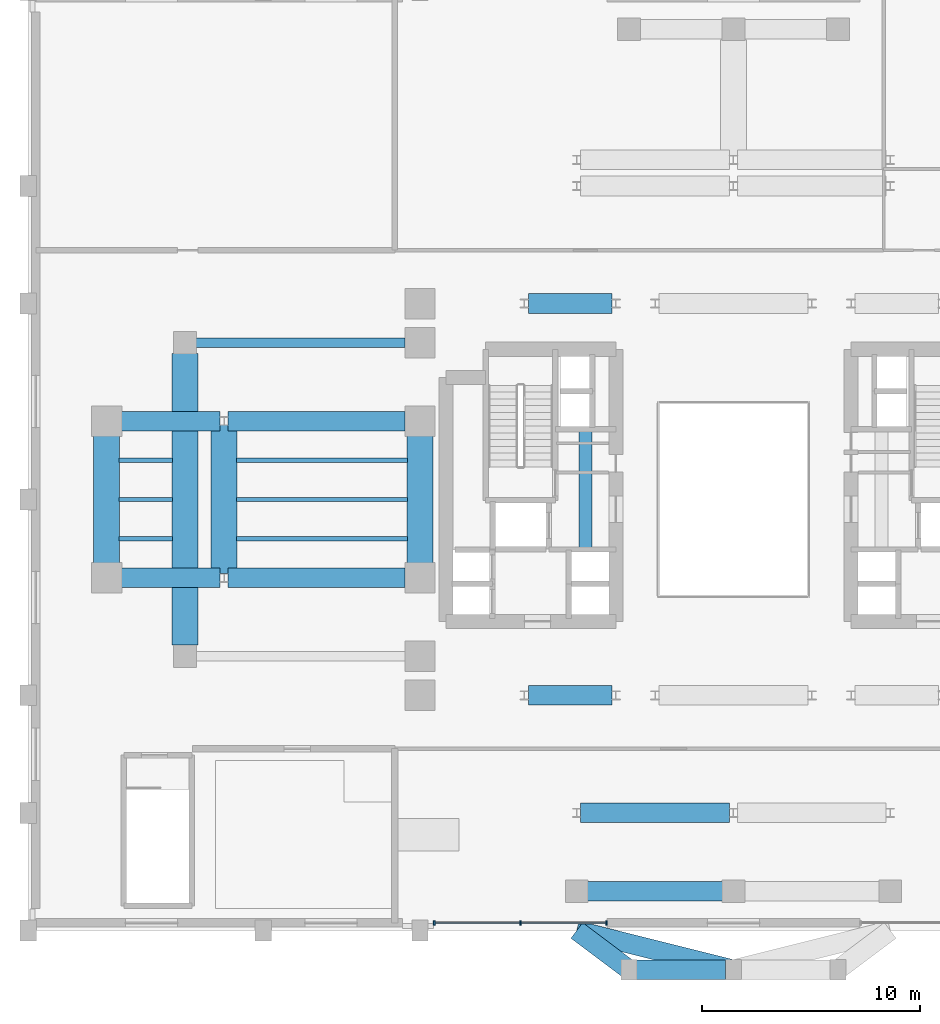
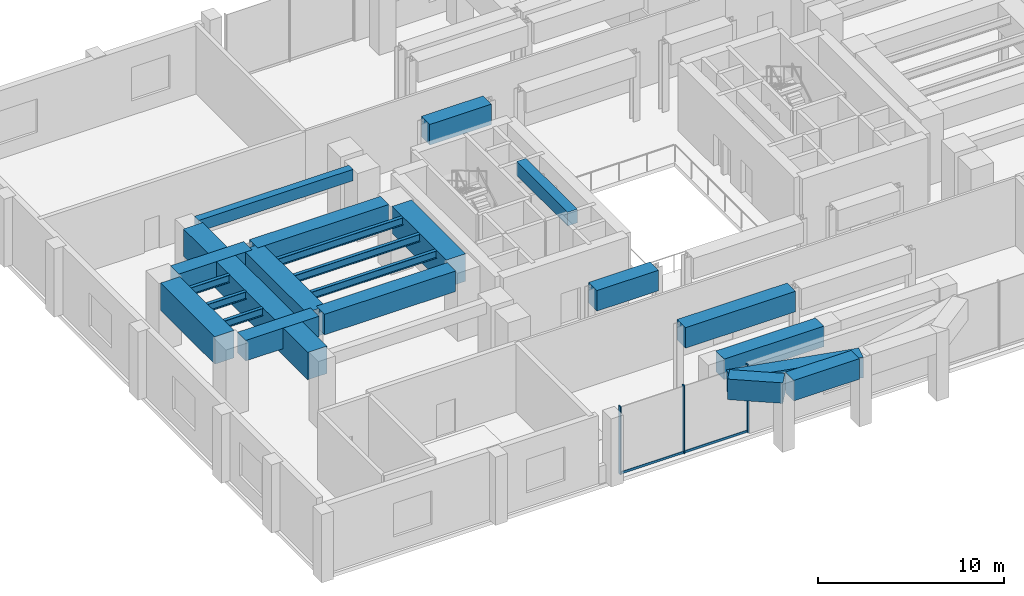
# One storey, part 4 of 13: 23 beams, 5 members, 1 element without a shape of its own.
"""IFC4 building model written with IfcOpenShell, lengths in metres."""

from ifc_helpers import new_model, si_unit, direction, frame, origin, origin_2d, place, context, subcontext, project, spatial, rectangle, i_section, extrude, source, transform, mapped, material, material_profile, profile_set, type_object, element, aggregate, save


model = new_model("IFC4")

# Units and contexts
model_context = context("Model", 3, precision=1e-05, world=origin(), true_north=direction((0.0, 1.0)))
body_context = subcontext(model_context, "Body", "Model", "MODEL_VIEW")
ifc_project = project(units=[si_unit("LENGTHUNIT", "METRE"), si_unit("AREAUNIT", "SQUARE_METRE"), si_unit("VOLUMEUNIT", "CUBIC_METRE"), si_unit("PLANEANGLEUNIT", "RADIAN"), si_unit("MASSUNIT", "GRAM", prefix="KILO")], contexts=[model_context])

# Site, building, storey
site_placement = place(None, origin())
site = spatial("IfcSite", under=ifc_project, at=site_placement, CompositionType="ELEMENT")
building_placement = place(site_placement, origin())
building = spatial("IfcBuilding", under=site, at=building_placement, Name="Keilestroom Media Tower", CompositionType="ELEMENT")
storey_placement = place(building_placement, frame((0.0, 0.0, 20.39990234375)))
storey = spatial("IfcBuildingStorey", under=building, at=storey_placement, Name="L04", CompositionType="ELEMENT", Elevation=20.39990234375)

# Beams
ifc_material_1 = material(Name="Concrete C55/67", Category="concrete")
ifc_material_profile_1 = material_profile(ifc_material_1, rectangle(XDim=0.89990234375, YDim=1.35009765625, at=origin_2d()), Name="RC 900x1350")
ifc_profile_set_1 = profile_set([ifc_material_profile_1], Name="Concrete C55/67")
beam_type_1 = type_object("IfcBeamType", Name="Primary-Structural-Girder-RC-900x1350", PredefinedType="BEAM", material=ifc_profile_set_1)
shared_shape_1 = source(origin(), body_context, "Body", "SweptSolid", [
    extrude(rectangle(XDim=0.89990234375, YDim=1.35009765625, at=origin_2d()), origin(), (0.0, 0.0, 1.0), 3.0),
])
beam_1_placement = place(storey_placement, frame((-4.800048828125, -21.60009765625, 3.80517578125), z_axis=(-0.799980468008, 0.600026041773, 0.0), x_axis=(-0.600026041773, -0.799980468008, 0.0)))
element("IfcBeam", 1, at=beam_1_placement, inside=storey, type_object=beam_type_1, Name="L04 South-Lobe Podium Tie Girder 1", PredefinedType="BEAM", context=body_context, shape_type="MappedRepresentation", body=[
    mapped(shared_shape_1, transform((0.0, 0.0, 0.0), x_axis=(1.0, 0.0, 0.0), y_axis=(0.0, 1.0, 0.0), z_axis=(0.0, 0.0, 1.0), scale=1.0)),
])
shared_shape_2 = source(origin(), body_context, "Body", "SweptSolid", [
    extrude(rectangle(XDim=0.89990234375, YDim=1.35009765625, at=origin_2d()), origin(), (0.0, 0.0, 1.0), 7.421630859375),
])
beam_2_placement = place(storey_placement, frame((0.0, -21.60009765625, 3.80517578125), z_axis=(-0.970140565046, 0.242543365301, 0.0), x_axis=(-0.242543365301, -0.970140565046, 0.0)))
element("IfcBeam", 2, at=beam_2_placement, inside=storey, type_object=beam_type_1, Name="L04 South-Lobe Podium Tie Girder 2", PredefinedType="BEAM", context=body_context, shape_type="MappedRepresentation", body=[
    mapped(shared_shape_2, transform((0.0, 0.0, 0.0), x_axis=(1.0, 0.0, 0.0), y_axis=(0.0, 1.0, 0.0), z_axis=(0.0, 0.0, 1.0), scale=1.0)),
])
ifc_material_2 = material(Name="Concrete C70/85", Category="concrete")
ifc_material_profile_2 = material_profile(ifc_material_2, rectangle(XDim=0.60009765625, YDim=0.89990234375, at=origin_2d()), Name="RC 600x900")
ifc_profile_set_2 = profile_set([ifc_material_profile_2], Name="Concrete C70/85")
beam_type_2 = type_object("IfcBeamType", Name="Core-Coupling-Lintel-Beam-RC-600x900", PredefinedType="LINTEL", material=ifc_profile_set_2)
shared_shape_3 = source(origin(), body_context, "Body", "SweptSolid", [
    extrude(rectangle(XDim=0.60009765625, YDim=0.89990234375, at=origin_2d()), origin(), (0.0, 0.0, 1.0), 5.52001953125),
])
beam_3_placement = place(storey_placement, frame((-6.800048828125, -2.300048828125, 4.030029296875), z_axis=(0.0, 1.0, 0.0), x_axis=(-1.0, 0.0, 0.0)))
element("IfcBeam", 3, at=beam_3_placement, inside=storey, type_object=beam_type_2, Name="L04 Beam CLB-1 CLB-L04-W", PredefinedType="LINTEL", context=body_context, shape_type="MappedRepresentation", body=[
    mapped(shared_shape_3, transform((0.0, 0.0, 0.0), x_axis=(1.0, 0.0, 0.0), y_axis=(0.0, 1.0, 0.0), z_axis=(0.0, 0.0, 1.0), scale=1.0)),
])
shared_shape_4 = source(origin(), body_context, "Body", "SweptSolid", [
    extrude(rectangle(XDim=0.89990234375, YDim=1.35009765625, at=origin_2d()), origin(), (0.0, 0.0, 1.0), 6.190185546875),
])
beam_4_placement = place(storey_placement, frame((-6.695068359375, -18.0, 3.80517578125), z_axis=(1.0, 0.0, 0.0), x_axis=(0.0, 1.0, 0.0)))
element("IfcBeam", 4, at=beam_4_placement, inside=storey, type_object=beam_type_1, Name="L04 Beam TG-2 BM-L04-EW-003", PredefinedType="BEAM", context=body_context, shape_type="MappedRepresentation", body=[
    mapped(shared_shape_4, transform((0.0, 0.0, 0.0), x_axis=(1.0, 0.0, 0.0), y_axis=(0.0, 1.0, 0.0), z_axis=(0.0, 0.0, 1.0), scale=1.0)),
])
shared_shape_5 = source(origin(), body_context, "Body", "SweptSolid", [
    extrude(rectangle(XDim=0.89990234375, YDim=1.35009765625, at=origin_2d()), origin(), (0.0, 0.0, 1.0), 6.833984375),
])
beam_5_placement = place(storey_placement, frame((-7.01708984375, -14.39990234375, 3.80517578125), z_axis=(1.0, 0.0, 0.0), x_axis=(0.0, 1.0, 0.0)))
element("IfcBeam", 5, at=beam_5_placement, inside=storey, type_object=beam_type_1, Name="L04 Beam TG-2 BM-L04-EW-005", PredefinedType="BEAM", context=body_context, shape_type="MappedRepresentation", body=[
    mapped(shared_shape_5, transform((0.0, 0.0, 0.0), x_axis=(1.0, 0.0, 0.0), y_axis=(0.0, 1.0, 0.0), z_axis=(0.0, 0.0, 1.0), scale=1.0)),
])
shared_shape_6 = source(origin(), body_context, "Body", "SweptSolid", [
    extrude(rectangle(XDim=0.89990234375, YDim=1.35009765625, at=origin_2d()), origin(), (0.0, 0.0, 1.0), 3.833984375),
])
for number, where, z_axis, x_axis, name in (
    (6, (-9.4169921875, -9.0, 3.80517578125), (1.0, 0.0, 0.0), (0.0, 1.0, 0.0), "L04 Beam TG-2 BM-L04-EW-007"),
    (7, (-9.4169921875, 9.0, 3.80517578125), (1.0, 0.0, 0.0), (0.0, 1.0, 0.0), "L04 Beam TG-2 BM-L04-EW-024"),
):
    element("IfcBeam", number, at=place(storey_placement, frame(where, z_axis=z_axis, x_axis=x_axis)), inside=storey, type_object=beam_type_1, Name=name, PredefinedType="BEAM", context=body_context, shape_type="MappedRepresentation", body=[
        mapped(shared_shape_6, transform((0.0, 0.0, 0.0), x_axis=(1.0, 0.0, 0.0), y_axis=(0.0, 1.0, 0.0), z_axis=(0.0, 0.0, 1.0), scale=1.0)),
    ])
shared_shape_7 = source(origin(), body_context, "Body", "SweptSolid", [
    extrude(rectangle(XDim=0.89990234375, YDim=1.35009765625, at=origin_2d()), origin(), (0.0, 0.0, 1.0), 4.537109375),
])
for number, where, z_axis, x_axis, name in (
    (8, (-28.1201171875, -3.60009765625, 3.80517578125), (1.0, 0.0, 0.0), (0.0, 1.0, 0.0), "L04 Beam TG-2 BM-L04-EW-014"),
    (9, (-28.1201171875, 3.60009765625, 3.80517578125), (1.0, 0.0, 0.0), (0.0, 1.0, 0.0), "L04 Beam TG-2 BM-L04-EW-018"),
):
    element("IfcBeam", number, at=place(storey_placement, frame(where, z_axis=z_axis, x_axis=x_axis)), inside=storey, type_object=beam_type_1, Name=name, PredefinedType="BEAM", context=body_context, shape_type="MappedRepresentation", body=[
        mapped(shared_shape_7, transform((0.0, 0.0, 0.0), x_axis=(1.0, 0.0, 0.0), y_axis=(0.0, 1.0, 0.0), z_axis=(0.0, 0.0, 1.0), scale=1.0)),
    ])
shared_shape_8 = source(origin(), body_context, "Body", "SweptSolid", [
    extrude(rectangle(XDim=0.89990234375, YDim=1.35009765625, at=origin_2d()), origin(), (0.0, 0.0, 1.0), 8.136962890625),
])
for number, where, z_axis, x_axis, name in (
    (10, (-23.217041015625, -3.60009765625, 3.80517578125), (1.0, 0.0, 0.0), (0.0, 1.0, 0.0), "L04 Beam TG-2 BM-L04-EW-015"),
    (11, (-23.217041015625, 3.60009765625, 3.80517578125), (1.0, 0.0, 0.0), (0.0, 1.0, 0.0), "L04 Beam TG-2 BM-L04-EW-019"),
):
    element("IfcBeam", number, at=place(storey_placement, frame(where, z_axis=z_axis, x_axis=x_axis)), inside=storey, type_object=beam_type_1, Name=name, PredefinedType="BEAM", context=body_context, shape_type="MappedRepresentation", body=[
        mapped(shared_shape_8, transform((0.0, 0.0, 0.0), x_axis=(1.0, 0.0, 0.0), y_axis=(0.0, 1.0, 0.0), z_axis=(0.0, 0.0, 1.0), scale=1.0)),
    ])
shared_shape_9 = source(origin(), body_context, "Body", "SweptSolid", [
    extrude(rectangle(XDim=0.89990234375, YDim=1.35009765625, at=origin_2d()), origin(), (0.0, 0.0, 1.0), 4.090087890625),
])
beam_6_placement = place(storey_placement, frame((-4.445068359375, -21.60009765625, 3.80517578125), z_axis=(1.0, 0.0, 0.0), x_axis=(0.0, 1.0, 0.0)))
element("IfcBeam", 12, at=beam_6_placement, inside=storey, type_object=beam_type_1, Name="L04 Beam TG-2 BM-L04-EW-001", PredefinedType="BEAM", context=body_context, shape_type="MappedRepresentation", body=[
    mapped(shared_shape_9, transform((0.0, 0.0, 0.0), x_axis=(1.0, 0.0, 0.0), y_axis=(0.0, 1.0, 0.0), z_axis=(0.0, 0.0, 1.0), scale=1.0)),
])
ifc_material_3 = material(Name="Precast concrete C40/50", Category="concrete")
ifc_material_profile_3 = material_profile(ifc_material_3, rectangle(XDim=0.449951171875, YDim=0.75, at=origin_2d()), Name="PC 450x750")
ifc_profile_set_3 = profile_set([ifc_material_profile_3], Name="Precast concrete C40/50")
beam_type_3 = type_object("IfcBeamType", Name="Perimeter-Spandrel-Beam-PC-450x750", PredefinedType="SPANDREL", material=ifc_profile_set_3)
shared_shape_10 = source(origin(), body_context, "Body", "SweptSolid", [
    extrude(rectangle(XDim=0.449951171875, YDim=0.75, at=origin_2d()), origin(), (0.0, 0.0, 1.0), 9.614990234375),
])
beam_7_placement = place(storey_placement, frame((-24.695068359375, 7.199951171875, 4.10498046875), z_axis=(1.0, 0.0, 0.0), x_axis=(0.0, 1.0, 0.0)))
element("IfcBeam", 13, at=beam_7_placement, inside=storey, type_object=beam_type_3, Name="L04 Beam SPB-1 BM-L04-EW-022", PredefinedType="SPANDREL", context=body_context, shape_type="MappedRepresentation", body=[
    mapped(shared_shape_10, transform((0.0, 0.0, 0.0), x_axis=(1.0, 0.0, 0.0), y_axis=(0.0, 1.0, 0.0), z_axis=(0.0, 0.0, 1.0), scale=1.0)),
])
ifc_material_4 = material(Name="Concrete C60/75", Category="concrete")
ifc_material_profile_4 = material_profile(ifc_material_4, rectangle(XDim=1.199951171875, YDim=1.800048828125, at=origin_2d()), Name="RC 1200x1800")
ifc_profile_set_4 = profile_set([ifc_material_profile_4], Name="Concrete C60/75")
beam_type_4 = type_object("IfcBeamType", Name="Primary-Structural-Girder-RC-1200x1800", PredefinedType="BEAM", material=ifc_profile_set_4)
shared_shape_11 = source(origin(), body_context, "Body", "SweptSolid", [
    extrude(rectangle(XDim=1.199951171875, YDim=1.800048828125, at=origin_2d()), origin(), (0.0, 0.0, 1.0), 5.83984375),
])
for number, where, z_axis, x_axis, name in (
    (14, (-28.800048828125, -2.919921875, 3.580078125), (0.0, 1.0, 0.0), (-1.0, 0.0, 0.0), "L04 Beam TG-1 BM-L04-NS-035"),
    (15, (-14.39990234375, -2.919921875, 3.580078125), (0.0, 1.0, 0.0), (-1.0, 0.0, 0.0), "L04 Beam TG-1 BM-L04-NS-039"),
):
    element("IfcBeam", number, at=place(storey_placement, frame(where, z_axis=z_axis, x_axis=x_axis)), inside=storey, type_object=beam_type_4, Name=name, PredefinedType="BEAM", context=body_context, shape_type="MappedRepresentation", body=[
        mapped(shared_shape_11, transform((0.0, 0.0, 0.0), x_axis=(1.0, 0.0, 0.0), y_axis=(0.0, 1.0, 0.0), z_axis=(0.0, 0.0, 1.0), scale=1.0)),
    ])
shared_shape_12 = source(origin(), body_context, "Body", "SweptSolid", [
    extrude(rectangle(XDim=1.199951171875, YDim=1.800048828125, at=origin_2d()), origin(), (0.0, 0.0, 1.0), 13.39013671875),
])
beam_8_placement = place(storey_placement, frame((-25.199951171875, -6.695068359375, 3.580078125), z_axis=(0.0, 1.0, 0.0), x_axis=(-1.0, 0.0, 0.0)))
element("IfcBeam", 16, at=beam_8_placement, inside=storey, type_object=beam_type_4, Name="L04 Beam TG-1 BM-L04-NS-036", PredefinedType="BEAM", context=body_context, shape_type="MappedRepresentation", body=[
    mapped(shared_shape_12, transform((0.0, 0.0, 0.0), x_axis=(1.0, 0.0, 0.0), y_axis=(0.0, 1.0, 0.0), z_axis=(0.0, 0.0, 1.0), scale=1.0)),
])
shared_shape_13 = source(origin(), body_context, "Body", "SweptSolid", [
    extrude(rectangle(XDim=1.199951171875, YDim=1.800048828125, at=origin_2d()), origin(), (0.0, 0.0, 1.0), 6.82421875),
])
beam_9_placement = place(storey_placement, frame((-23.39990234375, -3.412109375, 3.580078125), z_axis=(0.0, 1.0, 0.0), x_axis=(-1.0, 0.0, 0.0)))
element("IfcBeam", 17, at=beam_9_placement, inside=storey, type_object=beam_type_4, Name="L04 Beam TG-1 BM-L04-NS-037", PredefinedType="BEAM", context=body_context, shape_type="MappedRepresentation", body=[
    mapped(shared_shape_13, transform((0.0, 0.0, 0.0), x_axis=(1.0, 0.0, 0.0), y_axis=(0.0, 1.0, 0.0), z_axis=(0.0, 0.0, 1.0), scale=1.0)),
])
ifc_material_5 = material(Name="Steel S355", Category="steel")
ifc_material_profile_5 = material_profile(ifc_material_5, i_section(OverallWidth=0.199951171875, OverallDepth=0.5, WebThickness=0.01025390625, FlangeThickness=0.01611328125, at=origin_2d()), Name="IPE 500")
ifc_profile_set_5 = profile_set([ifc_material_profile_5], Name="Steel S355")
beam_type_5 = type_object("IfcBeamType", Name="Secondary-Floor-Joist-IPE-500", PredefinedType="JOIST", material=ifc_profile_set_5)
shared_shape_14 = source(origin(), body_context, "Body", "SweptSolid", [
    extrude(i_section(OverallWidth=0.199951171875, OverallDepth=0.5, WebThickness=0.01025390625, FlangeThickness=0.01611328125, at=origin_2d()), origin(), (0.0, 0.0, 1.0), 2.43994140625),
])
for number, where, z_axis, x_axis, name in (
    (18, (-28.219970703125, -1.800048828125, 4.22998046875), (1.0, 0.0, 0.0), (0.0, 1.0, 0.0), "L04 Beam BJ-2 JST-L04-061"),
    (19, (-28.219970703125, 0.0, 4.22998046875), (1.0, 0.0, 0.0), (0.0, 1.0, 0.0), "L04 Beam BJ-2 JST-L04-065"),
    (20, (-28.219970703125, 1.800048828125, 4.22998046875), (1.0, 0.0, 0.0), (0.0, 1.0, 0.0), "L04 Beam BJ-2 JST-L04-069"),
):
    element("IfcBeam", number, at=place(storey_placement, frame(where, z_axis=z_axis, x_axis=x_axis)), inside=storey, type_object=beam_type_5, Name=name, PredefinedType="JOIST", context=body_context, shape_type="MappedRepresentation", body=[
        mapped(shared_shape_14, transform((0.0, 0.0, 0.0), x_axis=(1.0, 0.0, 0.0), y_axis=(0.0, 1.0, 0.0), z_axis=(0.0, 0.0, 1.0), scale=1.0)),
    ])
shared_shape_15 = source(origin(), body_context, "Body", "SweptSolid", [
    extrude(i_section(OverallWidth=0.199951171875, OverallDepth=0.5, WebThickness=0.01025390625, FlangeThickness=0.01611328125, at=origin_2d()), origin(), (0.0, 0.0, 1.0), 7.840087890625),
])
for number, where, z_axis, x_axis, name in (
    (21, (-22.820068359375, -1.800048828125, 4.22998046875), (1.0, 0.0, 0.0), (0.0, 1.0, 0.0), "L04 Beam BJ-2 JST-L04-062"),
    (22, (-22.820068359375, 0.0, 4.22998046875), (1.0, 0.0, 0.0), (0.0, 1.0, 0.0), "L04 Beam BJ-2 JST-L04-066"),
    (23, (-22.820068359375, 1.800048828125, 4.22998046875), (1.0, 0.0, 0.0), (0.0, 1.0, 0.0), "L04 Beam BJ-2 JST-L04-070"),
):
    element("IfcBeam", number, at=place(storey_placement, frame(where, z_axis=z_axis, x_axis=x_axis)), inside=storey, type_object=beam_type_5, Name=name, PredefinedType="JOIST", context=body_context, shape_type="MappedRepresentation", body=[
        mapped(shared_shape_15, transform((0.0, 0.0, 0.0), x_axis=(1.0, 0.0, 0.0), y_axis=(0.0, 1.0, 0.0), z_axis=(0.0, 0.0, 1.0), scale=1.0)),
    ])

# Curtain wall, members
ifc_material_6 = material(Name="Anodised Aluminium Alloy", Category="aluminium")
curtain_wall_type = type_object("IfcCurtainWallType", Name="Unitised-Curtain-Wall-CW-5", PredefinedType="NOTDEFINED", material=ifc_material_6)
curtain_wall_placement = place(storey_placement, origin())
curtain_wall = element("IfcCurtainWall", 24, at=curtain_wall_placement, inside=storey, type_object=curtain_wall_type, Name="L04 Curtain Wall CW-5 CW-L04-S-ATR", PredefinedType="NOTDEFINED")
ifc_material_profile_6 = material_profile(ifc_material_6, rectangle(XDim=0.06494140625, YDim=0.14990234375, at=origin_2d()), Name="ALU TRANSOM 65x150")
ifc_profile_set_6 = profile_set([ifc_material_profile_6], Name="Anodised Aluminium Alloy")
member_type_1 = type_object("IfcMemberType", Name="Curtain-Wall-Transom-CW-5", PredefinedType="USERDEFINED", material=ifc_profile_set_6)
shared_shape_16 = source(origin(), body_context, "Body", "SweptSolid", [
    extrude(rectangle(XDim=0.06494140625, YDim=0.14990234375, at=origin_2d()), origin(), (0.0, 0.0, 1.0), 3.888916015625),
])
member_1_placement = place(storey_placement, frame((-13.7119140625, -19.449951171875, 0.0751953125), z_axis=(1.0, 0.0, 0.0), x_axis=(0.0, 1.0, 0.0)))
member_1 = element("IfcMember", 25, at=member_1_placement, type_object=member_type_1, Name="CW-5 Transom 00.1", ObjectType="TRANSOM", PredefinedType="USERDEFINED", context=body_context, shape_type="MappedRepresentation", body=[
    mapped(shared_shape_16, transform((0.0, 0.0, 0.0), x_axis=(1.0, 0.0, 0.0), y_axis=(0.0, 1.0, 0.0), z_axis=(0.0, 0.0, 1.0), scale=1.0)),
])
shared_shape_17 = source(origin(), body_context, "Body", "SweptSolid", [
    extrude(rectangle(XDim=0.06494140625, YDim=0.14990234375, at=origin_2d()), origin(), (0.0, 0.0, 1.0), 3.88916015625),
])
member_2_placement = place(storey_placement, frame((-9.757080078125, -19.449951171875, 0.0751953125), z_axis=(1.0, 0.0, 0.0), x_axis=(0.0, 1.0, 0.0)))
member_2 = element("IfcMember", 26, at=member_2_placement, type_object=member_type_1, Name="CW-5 Transom 01.1", ObjectType="TRANSOM", PredefinedType="USERDEFINED", context=body_context, shape_type="MappedRepresentation", body=[
    mapped(shared_shape_17, transform((0.0, 0.0, 0.0), x_axis=(1.0, 0.0, 0.0), y_axis=(0.0, 1.0, 0.0), z_axis=(0.0, 0.0, 1.0), scale=1.0)),
])
ifc_material_profile_7 = material_profile(ifc_material_6, rectangle(XDim=0.070068359375, YDim=0.199951171875, at=origin_2d()), Name="ALU MULLION 70x200")
ifc_profile_set_7 = profile_set([ifc_material_profile_7], Name="Anodised Aluminium Alloy")
member_type_2 = type_object("IfcMemberType", Name="Curtain-Wall-Mullion-CW-5", PredefinedType="MULLION", material=ifc_profile_set_7)
shared_shape_18 = source(origin(), body_context, "Body", "SweptSolid", [
    extrude(rectangle(XDim=0.070068359375, YDim=0.199951171875, at=origin_2d()), origin(), (0.0, 0.0, 1.0), 4.47998046875),
])
member_3_placement = place(storey_placement, frame((-13.7451171875, -19.449951171875, 0.0), z_axis=(0.0, 0.0, 1.0), x_axis=(1.0, 0.0, 0.0)))
member_3 = element("IfcMember", 27, at=member_3_placement, type_object=member_type_2, Name="CW-5 Mullion 00", PredefinedType="MULLION", context=body_context, shape_type="MappedRepresentation", body=[
    mapped(shared_shape_18, transform((0.0, 0.0, 0.0), x_axis=(1.0, 0.0, 0.0), y_axis=(0.0, 1.0, 0.0), z_axis=(0.0, 0.0, 1.0), scale=1.0)),
])
member_4_placement = place(storey_placement, frame((-9.7900390625, -19.449951171875, 0.0), z_axis=(0.0, 0.0, 1.0), x_axis=(1.0, 0.0, 0.0)))
member_4 = element("IfcMember", 28, at=member_4_placement, type_object=member_type_2, Name="CW-5 Mullion 01", PredefinedType="MULLION", context=body_context, shape_type="MappedRepresentation", body=[
    mapped(shared_shape_18, transform((0.0, 0.0, 0.0), x_axis=(1.0, 0.0, 0.0), y_axis=(0.0, 1.0, 0.0), z_axis=(0.0, 0.0, 1.0), scale=1.0)),
])
member_5_placement = place(storey_placement, frame((-5.8349609375, -19.449951171875, 0.0), z_axis=(0.0, 0.0, 1.0), x_axis=(1.0, 0.0, 0.0)))
member_5 = element("IfcMember", 29, at=member_5_placement, type_object=member_type_2, Name="CW-5 Mullion 02", PredefinedType="MULLION", context=body_context, shape_type="MappedRepresentation", body=[
    mapped(shared_shape_18, transform((0.0, 0.0, 0.0), x_axis=(1.0, 0.0, 0.0), y_axis=(0.0, 1.0, 0.0), z_axis=(0.0, 0.0, 1.0), scale=1.0)),
])
aggregate(curtain_wall, [member_3, member_4, member_5, member_1, member_2])

save(model, "model.ifc")
